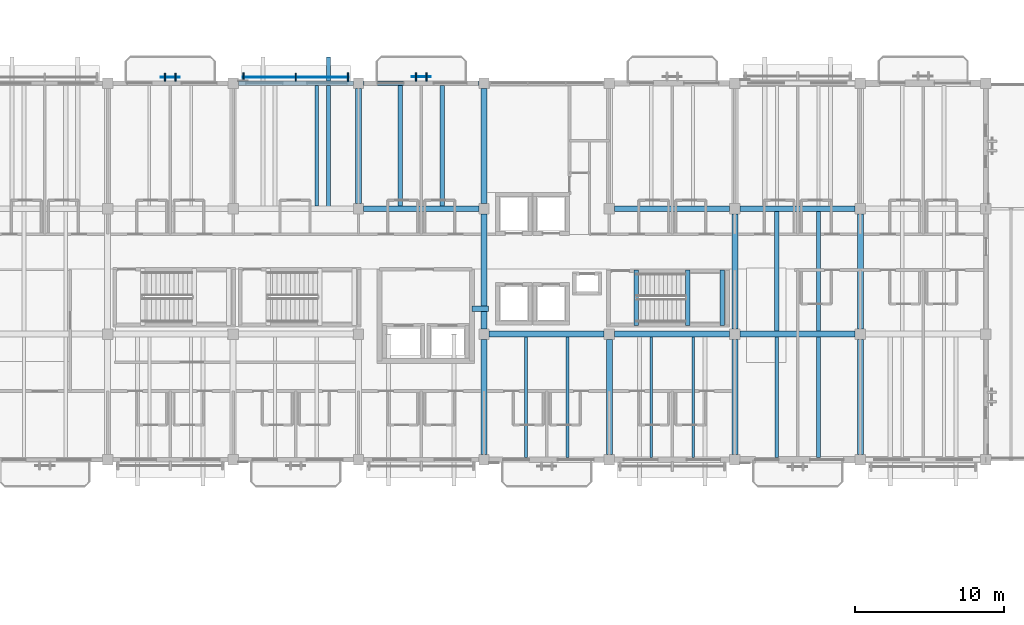
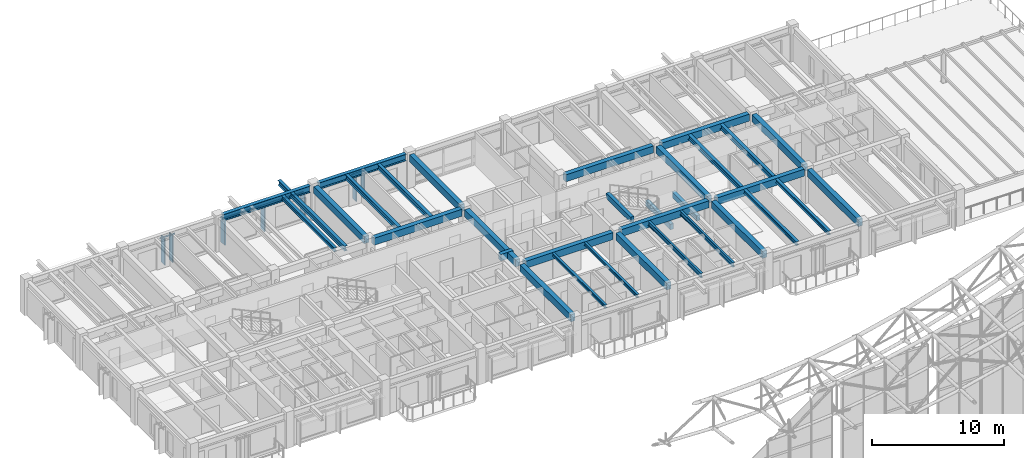
# One storey, part 54 of 93: 33 beams, 10 members, 3 elements without a shape of their own.
"""IFC4 building model written with IfcOpenShell, lengths in metres."""

from ifc_helpers import new_model, si_unit, direction, frame, origin, origin_2d, place, context, subcontext, project, spatial, rectangle, i_section, extrude, material, material_profile, profile_set, type_object, element, aggregate, save


model = new_model("IFC4")

# Units and contexts
model_context = context("Model", 3, precision=1e-05, world=origin(), true_north=direction((0.0, 1.0)))
body_context = subcontext(model_context, "Body", "Model", "MODEL_VIEW")
ifc_project = project(units=[si_unit("LENGTHUNIT", "METRE"), si_unit("AREAUNIT", "SQUARE_METRE"), si_unit("VOLUMEUNIT", "CUBIC_METRE"), si_unit("PLANEANGLEUNIT", "RADIAN"), si_unit("MASSUNIT", "GRAM", prefix="KILO")], contexts=[model_context])

# Site, building, storey
site_placement = place(None, origin())
site = spatial("IfcSite", under=ifc_project, at=site_placement, CompositionType="ELEMENT")
building_placement = place(site_placement, origin())
building = spatial("IfcBuilding", under=site, at=building_placement, Name="Cumbredor Promenade Congress Hotel", CompositionType="ELEMENT")
storey_placement = place(building_placement, frame((0.0, 0.0, 21.840087890625)))
storey = spatial("IfcBuildingStorey", under=building, at=storey_placement, Name="L06", CompositionType="ELEMENT", Elevation=21.840087890625)

# Beams
ifc_material_1 = material(Name="Concrete C40/50", Category="concrete")
ifc_material_profile_1 = material_profile(ifc_material_1, rectangle(XDim=0.39990234375, YDim=0.64990234375, at=origin_2d()), Name="RC BEAM 400x650")
ifc_profile_set_1 = profile_set([ifc_material_profile_1], Name="Concrete C40/50")
beam_type_1 = type_object("IfcBeamType", Name="BM-RC-400x650", PredefinedType="BEAM", material=ifc_profile_set_1)
for number, where, z_axis, x_axis, name in (
    (1, (25.550048828125, 109.199951171875, 2.794921875), (1.0, 0.0, 0.0), (0.0, 1.0, 0.0), "L07 X-Grid Beam 023"),
    (2, (25.199951171875, 109.550048828125, 2.794921875), (0.0, 1.0, 0.0), (-1.0, 0.0, 0.0), "L07 Y-Grid Beam 024"),
    (3, (33.60009765625, 92.75, 2.794921875), (0.0, 1.0, 0.0), (-1.0, 0.0, 0.0), "L07 Y-Grid Beam 027"),
    (4, (33.949951171875, 100.800048828125, 2.794921875), (1.0, 0.0, 0.0), (0.0, 1.0, 0.0), "L07 X-Grid Beam 028"),
):
    element("IfcBeam", number, at=place(storey_placement, frame(where, z_axis=z_axis, x_axis=x_axis)), inside=storey, type_object=beam_type_1, Name=name, PredefinedType="BEAM", context=body_context, shape_type="SweptSolid", body=[
        extrude(rectangle(XDim=0.39990234375, YDim=0.64990234375, at=origin_2d()), origin(), (0.0, 0.0, 1.0), 7.699951171875),
    ])
beam_1_placement = place(storey_placement, frame((33.60009765625, 101.14990234375, 2.794921875), z_axis=(0.0, 1.0, 0.0), x_axis=(-1.0, 0.0, 0.0)))
element("IfcBeam", 5, at=beam_1_placement, inside=storey, type_object=beam_type_1, Name="L07 Y-Grid Beam 029", PredefinedType="BEAM", context=body_context, shape_type="SweptSolid", body=[
    extrude(rectangle(XDim=0.39990234375, YDim=0.64990234375, at=origin_2d()), origin(), (0.0, 0.0, 1.0), 7.7001953125),
])
for number, where, z_axis, x_axis, name in (
    (6, (33.60009765625, 109.550048828125, 2.794921875), (0.0, 1.0, 0.0), (-1.0, 0.0, 0.0), "L07 Y-Grid Beam 030"),
    (7, (42.0, 92.75, 2.794921875), (0.0, 1.0, 0.0), (-1.0, 0.0, 0.0), "L07 Y-Grid Beam 033"),
    (8, (42.35009765625, 100.800048828125, 2.794921875), (1.0, 0.0, 0.0), (0.0, 1.0, 0.0), "L07 X-Grid Beam 034"),
    (9, (42.35009765625, 109.199951171875, 2.794921875), (1.0, 0.0, 0.0), (0.0, 1.0, 0.0), "L07 X-Grid Beam 035"),
    (10, (50.39990234375, 92.75, 2.794921875), (0.0, 1.0, 0.0), (-1.0, 0.0, 0.0), "L07 Y-Grid Beam 039"),
    (11, (50.75, 100.800048828125, 2.794921875), (1.0, 0.0, 0.0), (0.0, 1.0, 0.0), "L07 X-Grid Beam 040"),
):
    element("IfcBeam", number, at=place(storey_placement, frame(where, z_axis=z_axis, x_axis=x_axis)), inside=storey, type_object=beam_type_1, Name=name, PredefinedType="BEAM", context=body_context, shape_type="SweptSolid", body=[
        extrude(rectangle(XDim=0.39990234375, YDim=0.64990234375, at=origin_2d()), origin(), (0.0, 0.0, 1.0), 7.699951171875),
    ])
beam_2_placement = place(storey_placement, frame((50.39990234375, 101.14990234375, 2.794921875), z_axis=(0.0, 1.0, 0.0), x_axis=(-1.0, 0.0, 0.0)))
element("IfcBeam", 12, at=beam_2_placement, inside=storey, type_object=beam_type_1, Name="L07 Y-Grid Beam 041", PredefinedType="BEAM", context=body_context, shape_type="SweptSolid", body=[
    extrude(rectangle(XDim=0.39990234375, YDim=0.64990234375, at=origin_2d()), origin(), (0.0, 0.0, 1.0), 7.7001953125),
])
for number, where, z_axis, x_axis, name in (
    (13, (50.75, 109.199951171875, 2.794921875), (1.0, 0.0, 0.0), (0.0, 1.0, 0.0), "L07 X-Grid Beam 042"),
    (14, (58.800048828125, 92.75, 2.794921875), (0.0, 1.0, 0.0), (-1.0, 0.0, 0.0), "L07 Y-Grid Beam 046"),
):
    element("IfcBeam", number, at=place(storey_placement, frame(where, z_axis=z_axis, x_axis=x_axis)), inside=storey, type_object=beam_type_1, Name=name, PredefinedType="BEAM", context=body_context, shape_type="SweptSolid", body=[
        extrude(rectangle(XDim=0.39990234375, YDim=0.64990234375, at=origin_2d()), origin(), (0.0, 0.0, 1.0), 7.699951171875),
    ])
beam_3_placement = place(storey_placement, frame((58.800048828125, 101.14990234375, 2.794921875), z_axis=(0.0, 1.0, 0.0), x_axis=(-1.0, 0.0, 0.0)))
element("IfcBeam", 15, at=beam_3_placement, inside=storey, type_object=beam_type_1, Name="L07 Y-Grid Beam 048", PredefinedType="BEAM", context=body_context, shape_type="SweptSolid", body=[
    extrude(rectangle(XDim=0.39990234375, YDim=0.64990234375, at=origin_2d()), origin(), (0.0, 0.0, 1.0), 7.7001953125),
])
ifc_material_2 = material(Name="Steel ASTM A992 Grade 50", Category="steel")
ifc_material_profile_2 = material_profile(ifc_material_2, i_section(OverallWidth=0.323974609375, OverallDepth=0.611083984375, WebThickness=0.0126953125, FlangeThickness=0.01904296875, at=origin_2d()), Name="W24X104")
ifc_profile_set_2 = profile_set([ifc_material_profile_2], Name="Steel ASTM A992 Grade 50")
beam_type_2 = type_object("IfcBeamType", Name="BM-W24X104", PredefinedType="BEAM", material=ifc_profile_set_2)
beam_4_placement = place(storey_placement, frame((17.14990234375, 117.60009765625, 2.814453125), z_axis=(1.0, 0.0, 0.0), x_axis=(0.0, 1.0, 0.0)))
element("IfcBeam", 16, at=beam_4_placement, inside=storey, type_object=beam_type_2, Name="L07 X-Grid Beam 020", PredefinedType="BEAM", context=body_context, shape_type="SweptSolid", body=[
    extrude(i_section(OverallWidth=0.323974609375, OverallDepth=0.611083984375, WebThickness=0.0126953125, FlangeThickness=0.01904296875, at=origin_2d()), origin(), (0.0, 0.0, 1.0), 7.7001953125),
])
beam_5_placement = place(storey_placement, frame((25.550048828125, 117.60009765625, 2.814453125), z_axis=(1.0, 0.0, 0.0), x_axis=(0.0, 1.0, 0.0)))
element("IfcBeam", 17, at=beam_5_placement, inside=storey, type_object=beam_type_2, Name="L07 X-Grid Beam 025", PredefinedType="BEAM", context=body_context, shape_type="SweptSolid", body=[
    extrude(i_section(OverallWidth=0.323974609375, OverallDepth=0.611083984375, WebThickness=0.0126953125, FlangeThickness=0.01904296875, at=origin_2d()), origin(), (0.0, 0.0, 1.0), 7.699951171875),
])

# Curtain wall, member
ifc_material_3 = material(Name="Thermally broken anodized aluminium and low-E glass", Category="aluminium")
curtain_wall_type = type_object("IfcCurtainWallType", Name="Solar Brise-Soleil Screen Assembly CW-07", PredefinedType="NOTDEFINED", material=ifc_material_3)
curtain_wall_1_placement = place(storey_placement, origin())
curtain_wall_1 = element("IfcCurtainWall", 18, at=curtain_wall_1_placement, inside=storey, type_object=curtain_wall_type, Name="L06 Veranda Solar Brise-Soleil Screen 949", PredefinedType="NOTDEFINED")
ifc_material_4 = material(Name="Thermally broken anodized aluminium", Category="aluminium")
ifc_material_profile_3 = material_profile(ifc_material_4, rectangle(XDim=0.06494140625, YDim=0.1298828125, at=origin_2d()), Name="ALU TRANSOM 65x130")
ifc_profile_set_3 = profile_set([ifc_material_profile_3], Name="Thermally broken anodized aluminium")
member_type_1 = type_object("IfcMemberType", Name="Curtain Wall Transom TR-01", PredefinedType="USERDEFINED", material=ifc_profile_set_3)
member_1_placement = place(storey_placement, frame((11.949951171875, 118.0, 2.413818359375), z_axis=(1.0, 0.0, 0.0), x_axis=(0.0, 1.0, 0.0)))
member_1 = element("IfcMember", 19, at=member_1_placement, type_object=member_type_1, Name="L06 Brise-Soleil Header Tie 0951", ObjectType="TRANSOM", PredefinedType="USERDEFINED", context=body_context, shape_type="SweptSolid", body=[
    extrude(rectangle(XDim=0.06494140625, YDim=0.1298828125, at=origin_2d()), origin(), (0.0, 0.0, 1.0), 1.300048828125),
])

curtain_wall_2_placement = place(storey_placement, origin())
curtain_wall_2 = element("IfcCurtainWall", 20, at=curtain_wall_2_placement, inside=storey, type_object=curtain_wall_type, Name="L06 Hospitality Brise-Soleil Screen 093", PredefinedType="NOTDEFINED")
member_2_placement = place(storey_placement, frame((17.450927734375, 118.010009765625, 2.31396484375), z_axis=(1.0, 0.0, 0.0), x_axis=(0.0, 1.0, 0.0)))
member_2 = element("IfcMember", 21, at=member_2_placement, type_object=member_type_1, Name="L06 Brise-Soleil Screen Transom 093", ObjectType="TRANSOM", PredefinedType="USERDEFINED", context=body_context, shape_type="SweptSolid", body=[
    extrude(rectangle(XDim=0.06494140625, YDim=0.1298828125, at=origin_2d()), origin(), (0.0, 0.0, 1.0), 7.09814453125),
])

curtain_wall_3_placement = place(storey_placement, origin())
curtain_wall_3 = element("IfcCurtainWall", 22, at=curtain_wall_3_placement, inside=storey, type_object=curtain_wall_type, Name="L06 Veranda Solar Brise-Soleil Screen 955", PredefinedType="NOTDEFINED")
member_3_placement = place(storey_placement, frame((28.75, 118.0224609375, 2.413818359375), z_axis=(1.0, 0.0, 0.0), x_axis=(0.0, 1.0, 0.0)))
member_3 = element("IfcMember", 23, at=member_3_placement, type_object=member_type_1, Name="L06 Brise-Soleil Header Tie 0957", ObjectType="TRANSOM", PredefinedType="USERDEFINED", context=body_context, shape_type="SweptSolid", body=[
    extrude(rectangle(XDim=0.06494140625, YDim=0.1298828125, at=origin_2d()), origin(), (0.0, 0.0, 1.0), 1.300048828125),
])

# Beams
ifc_material_profile_4 = material_profile(ifc_material_2, i_section(OverallWidth=0.202880859375, OverallDepth=0.302978515625, WebThickness=0.007568359375, FlangeThickness=0.01318359375, at=origin_2d()), Name="W12X40")
ifc_profile_set_4 = profile_set([ifc_material_profile_4], Name="Steel ASTM A992 Grade 50")
beam_type_3 = type_object("IfcBeamType", Name="JST-W12X40", PredefinedType="JOIST", material=ifc_profile_set_4)
for number, where, z_axis, x_axis, name in (
    (24, (36.39990234375, 92.56201171875, 2.968505859375), (0.0, 1.0, 0.0), (-1.0, 0.0, 0.0), "L07 Secondary Floor Joist 0017"),
    (25, (39.199951171875, 92.56201171875, 2.968505859375), (0.0, 1.0, 0.0), (-1.0, 0.0, 0.0), "L07 Secondary Floor Joist 0018"),
):
    element("IfcBeam", number, at=place(storey_placement, frame(where, z_axis=z_axis, x_axis=x_axis)), inside=storey, type_object=beam_type_3, Name=name, PredefinedType="JOIST", context=body_context, shape_type="SweptSolid", body=[
        extrude(i_section(OverallWidth=0.202880859375, OverallDepth=0.302978515625, WebThickness=0.007568359375, FlangeThickness=0.01318359375, at=origin_2d()), origin(), (0.0, 0.0, 1.0), 8.0380859375),
    ])
ifc_material_profile_5 = material_profile(ifc_material_2, i_section(OverallWidth=0.2548828125, OverallDepth=0.35693359375, WebThickness=0.010498046875, FlangeThickness=0.018310546875, at=origin_2d()), Name="W14X68")
ifc_profile_set_5 = profile_set([ifc_material_profile_5], Name="Steel ASTM A992 Grade 50")
beam_type_4 = type_object("IfcBeamType", Name="JST-W14X68", PredefinedType="JOIST", material=ifc_profile_set_5)
for number, where, z_axis, x_axis, name in (
    (26, (22.39990234375, 109.39990234375, 2.94140625), (0.0, 1.0, 0.0), (-1.0, 0.0, 0.0), "L07 Secondary Floor Joist 0014"),
    (27, (53.199951171875, 92.56201171875, 2.94140625), (0.0, 1.0, 0.0), (-1.0, 0.0, 0.0), "L07 Secondary Floor Joist 0023"),
    (28, (56.0, 92.56201171875, 2.94140625), (0.0, 1.0, 0.0), (-1.0, 0.0, 0.0), "L07 Secondary Floor Joist 0024"),
):
    element("IfcBeam", number, at=place(storey_placement, frame(where, z_axis=z_axis, x_axis=x_axis)), inside=storey, type_object=beam_type_4, Name=name, PredefinedType="JOIST", context=body_context, shape_type="SweptSolid", body=[
        extrude(i_section(OverallWidth=0.2548828125, OverallDepth=0.35693359375, WebThickness=0.010498046875, FlangeThickness=0.018310546875, at=origin_2d()), origin(), (0.0, 0.0, 1.0), 8.0380859375),
    ])
ifc_material_profile_6 = material_profile(ifc_material_2, i_section(OverallWidth=0.180908203125, OverallDepth=0.4169921875, WebThickness=0.010986328125, FlangeThickness=0.018310546875, at=origin_2d()), Name="W16X57")
ifc_profile_set_6 = profile_set([ifc_material_profile_6], Name="Steel ASTM A992 Grade 50")
beam_type_5 = type_object("IfcBeamType", Name="JST-W16X57", PredefinedType="JOIST", material=ifc_profile_set_6)
for number, where, z_axis, x_axis, name in (
    (29, (44.800048828125, 92.56201171875, 2.911376953125), (0.0, 1.0, 0.0), (-1.0, 0.0, 0.0), "L07 Secondary Floor Joist 0019"),
    (30, (47.60009765625, 92.56201171875, 2.911376953125), (0.0, 1.0, 0.0), (-1.0, 0.0, 0.0), "L07 Secondary Floor Joist 0020"),
):
    element("IfcBeam", number, at=place(storey_placement, frame(where, z_axis=z_axis, x_axis=x_axis)), inside=storey, type_object=beam_type_5, Name=name, PredefinedType="JOIST", context=body_context, shape_type="SweptSolid", body=[
        extrude(i_section(OverallWidth=0.180908203125, OverallDepth=0.4169921875, WebThickness=0.010986328125, FlangeThickness=0.018310546875, at=origin_2d()), origin(), (0.0, 0.0, 1.0), 8.0380859375),
    ])
ifc_material_profile_7 = material_profile(ifc_material_2, i_section(OverallWidth=0.280029296875, OverallDepth=0.462890625, WebThickness=0.0107421875, FlangeThickness=0.017333984375, at=origin_2d()), Name="W18X76")
ifc_profile_set_7 = profile_set([ifc_material_profile_7], Name="Steel ASTM A992 Grade 50")
beam_type_6 = type_object("IfcBeamType", Name="JST-W18X76", PredefinedType="JOIST", material=ifc_profile_set_7)
beam_6_placement = place(storey_placement, frame((23.199951171875, 109.199951171875, 2.888427734375), z_axis=(0.0, 1.0, 0.0), x_axis=(-1.0, 0.0, 0.0)))
element("IfcBeam", 31, at=beam_6_placement, inside=storey, type_object=beam_type_6, Name="L07 Balcony Back-Spanned Outrigger Beam 043.2", PredefinedType="JOIST", context=body_context, shape_type="SweptSolid", body=[
    extrude(i_section(OverallWidth=0.280029296875, OverallDepth=0.462890625, WebThickness=0.0107421875, FlangeThickness=0.017333984375, at=origin_2d()), origin(), (0.0, 0.0, 1.0), 10.150146484375),
])
for number, where, z_axis, x_axis, name in (
    (32, (28.0, 109.39990234375, 2.888427734375), (0.0, 1.0, 0.0), (-1.0, 0.0, 0.0), "L07 Secondary Floor Joist 0015"),
    (33, (30.800048828125, 109.39990234375, 2.888427734375), (0.0, 1.0, 0.0), (-1.0, 0.0, 0.0), "L07 Secondary Floor Joist 0016"),
):
    element("IfcBeam", number, at=place(storey_placement, frame(where, z_axis=z_axis, x_axis=x_axis)), inside=storey, type_object=beam_type_6, Name=name, PredefinedType="JOIST", context=body_context, shape_type="SweptSolid", body=[
        extrude(i_section(OverallWidth=0.280029296875, OverallDepth=0.462890625, WebThickness=0.0107421875, FlangeThickness=0.017333984375, at=origin_2d()), origin(), (0.0, 0.0, 1.0), 8.0380859375),
    ])
for number, where, z_axis, x_axis, name in (
    (34, (53.199951171875, 101.0, 2.888427734375), (0.0, 1.0, 0.0), (-1.0, 0.0, 0.0), "L07 Secondary Floor Joist 0025"),
    (35, (56.0, 101.0, 2.888427734375), (0.0, 1.0, 0.0), (-1.0, 0.0, 0.0), "L07 Secondary Floor Joist 0026"),
):
    element("IfcBeam", number, at=place(storey_placement, frame(where, z_axis=z_axis, x_axis=x_axis)), inside=storey, type_object=beam_type_6, Name=name, PredefinedType="JOIST", context=body_context, shape_type="SweptSolid", body=[
        extrude(i_section(OverallWidth=0.280029296875, OverallDepth=0.462890625, WebThickness=0.0107421875, FlangeThickness=0.017333984375, at=origin_2d()), origin(), (0.0, 0.0, 1.0), 8.0),
    ])
ifc_material_profile_8 = material_profile(ifc_material_1, rectangle(XDim=0.300048828125, YDim=0.5, at=origin_2d()), Name="RC LINTEL 300x500")
ifc_profile_set_8 = profile_set([ifc_material_profile_8], Name="Concrete C40/50")
beam_type_7 = type_object("IfcBeamType", Name="LN-RC-300x500", PredefinedType="LINTEL", material=ifc_profile_set_8)
for number, where, z_axis, x_axis, name in (
    (36, (49.550048828125, 101.3701171875, 1.22998046875), (0.0, 1.0, 0.0), (-1.0, 0.0, 0.0), "L06 Stair ST-03 Landing Ledger Beam E"),
    (37, (47.25, 101.3701171875, 1.22998046875), (0.0, 1.0, 0.0), (-1.0, 0.0, 0.0), "L06 Stair ST-03 Landing Ledger Beam W"),
    (38, (43.800048828125, 101.3701171875, 3.10986328125), (0.0, 1.0, 0.0), (-1.0, 0.0, 0.0), "L07 Stair ST-03 Well Header Trimmer Beam"),
):
    element("IfcBeam", number, at=place(storey_placement, frame(where, z_axis=z_axis, x_axis=x_axis)), inside=storey, type_object=beam_type_7, Name=name, PredefinedType="LINTEL", context=body_context, shape_type="SweptSolid", body=[
        extrude(rectangle(XDim=0.300048828125, YDim=0.5, at=origin_2d()), origin(), (0.0, 0.0, 1.0), 3.72998046875),
    ])
ifc_material_profile_9 = material_profile(ifc_material_1, rectangle(XDim=0.35009765625, YDim=0.60009765625, at=origin_2d()), Name="RC LINTEL 350x600")
ifc_profile_set_9 = profile_set([ifc_material_profile_9], Name="Concrete C40/50")
beam_type_8 = type_object("IfcBeamType", Name="LN-RC-350x600", PredefinedType="LINTEL", material=ifc_profile_set_9)
beam_7_placement = place(storey_placement, frame((32.800048828125, 102.5, 2.81982421875), z_axis=(1.0, 0.0, 0.0), x_axis=(0.0, 1.0, 0.0)))
element("IfcBeam", 39, at=beam_7_placement, inside=storey, type_object=beam_type_8, Name="L06 Core Coupling Lintel Beam", PredefinedType="LINTEL", context=body_context, shape_type="SweptSolid", body=[
    extrude(rectangle(XDim=0.35009765625, YDim=0.60009765625, at=origin_2d()), origin(), (0.0, 0.0, 1.0), 1.099853515625),
])

# Member
ifc_material_profile_10 = material_profile(ifc_material_4, rectangle(XDim=0.110107421875, YDim=0.6201171875, at=origin_2d()), Name="ARCH FIN 110x620")
ifc_profile_set_10 = profile_set([ifc_material_profile_10], Name="Thermally broken anodized aluminium")
member_type_2 = type_object("IfcMemberType", Name="Vertical Bronze Brise-Soleil Fin BSF-02 110x620", PredefinedType="USERDEFINED", material=ifc_profile_set_10)
member_4_placement = place(storey_placement, frame((17.5009765625, 118.010009765625, 0.02001953125), z_axis=(0.0, 0.0, 1.0), x_axis=(1.0, 0.0, 0.0)))
member_4 = element("IfcMember", 40, at=member_4_placement, type_object=member_type_2, Name="L06 Vertical Brise-Soleil Fin 0952", ObjectType="SOLAR FIN", PredefinedType="USERDEFINED", context=body_context, shape_type="SweptSolid", body=[
    extrude(rectangle(XDim=0.110107421875, YDim=0.6201171875, at=origin_2d()), origin(), (0.0, 0.0, 1.0), 2.35400390625),
])

member_5_placement = place(storey_placement, frame((24.4990234375, 118.010009765625, 0.02001953125), z_axis=(0.0, 0.0, 1.0), x_axis=(1.0, 0.0, 0.0)))
member_5 = element("IfcMember", 41, at=member_5_placement, type_object=member_type_2, Name="L06 Vertical Brise-Soleil Fin 0954", ObjectType="SOLAR FIN", PredefinedType="USERDEFINED", context=body_context, shape_type="SweptSolid", body=[
    extrude(rectangle(XDim=0.110107421875, YDim=0.6201171875, at=origin_2d()), origin(), (0.0, 0.0, 1.0), 2.35400390625),
])

ifc_material_5 = material(Name="Kiln-dried tropical hardwood", Category="wood")
ifc_material_profile_11 = material_profile(ifc_material_5, rectangle(XDim=0.090087890625, YDim=0.550048828125, at=origin_2d()), Name="ARCH FIN 90x550")
ifc_profile_set_11 = profile_set([ifc_material_profile_11], Name="Kiln-dried tropical hardwood")
member_type_3 = type_object("IfcMemberType", Name="Vertical Hardwood Brise-Soleil Fin BSF-01 90x550", PredefinedType="USERDEFINED", material=ifc_profile_set_11)
member_6_placement = place(storey_placement, frame((12.25, 118.0, -0.010009765625), z_axis=(0.0, 0.0, 1.0), x_axis=(1.0, 0.0, 0.0)))
member_6 = element("IfcMember", 42, at=member_6_placement, type_object=member_type_3, Name="L06 Vertical Hardwood Brise-Soleil Fin 0950", ObjectType="SOLAR FIN", PredefinedType="USERDEFINED", context=body_context, shape_type="SweptSolid", body=[
    extrude(rectangle(XDim=0.090087890625, YDim=0.550048828125, at=origin_2d()), origin(), (0.0, 0.0, 1.0), 2.48388671875),
])

member_7_placement = place(storey_placement, frame((12.949951171875, 118.0, -0.010009765625), z_axis=(0.0, 0.0, 1.0), x_axis=(1.0, 0.0, 0.0)))
member_7 = element("IfcMember", 43, at=member_7_placement, type_object=member_type_3, Name="L06 Vertical Hardwood Brise-Soleil Fin 0951", ObjectType="SOLAR FIN", PredefinedType="USERDEFINED", context=body_context, shape_type="SweptSolid", body=[
    extrude(rectangle(XDim=0.090087890625, YDim=0.550048828125, at=origin_2d()), origin(), (0.0, 0.0, 1.0), 2.48388671875),
])

aggregate(curtain_wall_1, [member_6, member_7, member_1])

member_8_placement = place(storey_placement, frame((21.0, 118.010009765625, 0.02001953125), z_axis=(0.0, 0.0, 1.0), x_axis=(1.0, 0.0, 0.0)))
member_8 = element("IfcMember", 44, at=member_8_placement, type_object=member_type_3, Name="L06 Vertical Brise-Soleil Fin 0953", ObjectType="SOLAR FIN", PredefinedType="USERDEFINED", context=body_context, shape_type="SweptSolid", body=[
    extrude(rectangle(XDim=0.090087890625, YDim=0.550048828125, at=origin_2d()), origin(), (0.0, 0.0, 1.0), 2.35400390625),
])

aggregate(curtain_wall_2, [member_2, member_4, member_8, member_5])

member_9_placement = place(storey_placement, frame((29.050048828125, 118.0224609375, -0.010009765625), z_axis=(0.0, 0.0, 1.0), x_axis=(1.0, 0.0, 0.0)))
member_9 = element("IfcMember", 45, at=member_9_placement, type_object=member_type_3, Name="L06 Vertical Hardwood Brise-Soleil Fin 0956", ObjectType="SOLAR FIN", PredefinedType="USERDEFINED", context=body_context, shape_type="SweptSolid", body=[
    extrude(rectangle(XDim=0.090087890625, YDim=0.550048828125, at=origin_2d()), origin(), (0.0, 0.0, 1.0), 2.48388671875),
])

member_10_placement = place(storey_placement, frame((29.75, 118.0224609375, -0.010009765625), z_axis=(0.0, 0.0, 1.0), x_axis=(1.0, 0.0, 0.0)))
member_10 = element("IfcMember", 46, at=member_10_placement, type_object=member_type_3, Name="L06 Vertical Hardwood Brise-Soleil Fin 0957", ObjectType="SOLAR FIN", PredefinedType="USERDEFINED", context=body_context, shape_type="SweptSolid", body=[
    extrude(rectangle(XDim=0.090087890625, YDim=0.550048828125, at=origin_2d()), origin(), (0.0, 0.0, 1.0), 2.48388671875),
])

aggregate(curtain_wall_3, [member_9, member_10, member_3])

save(model, "model.ifc")
